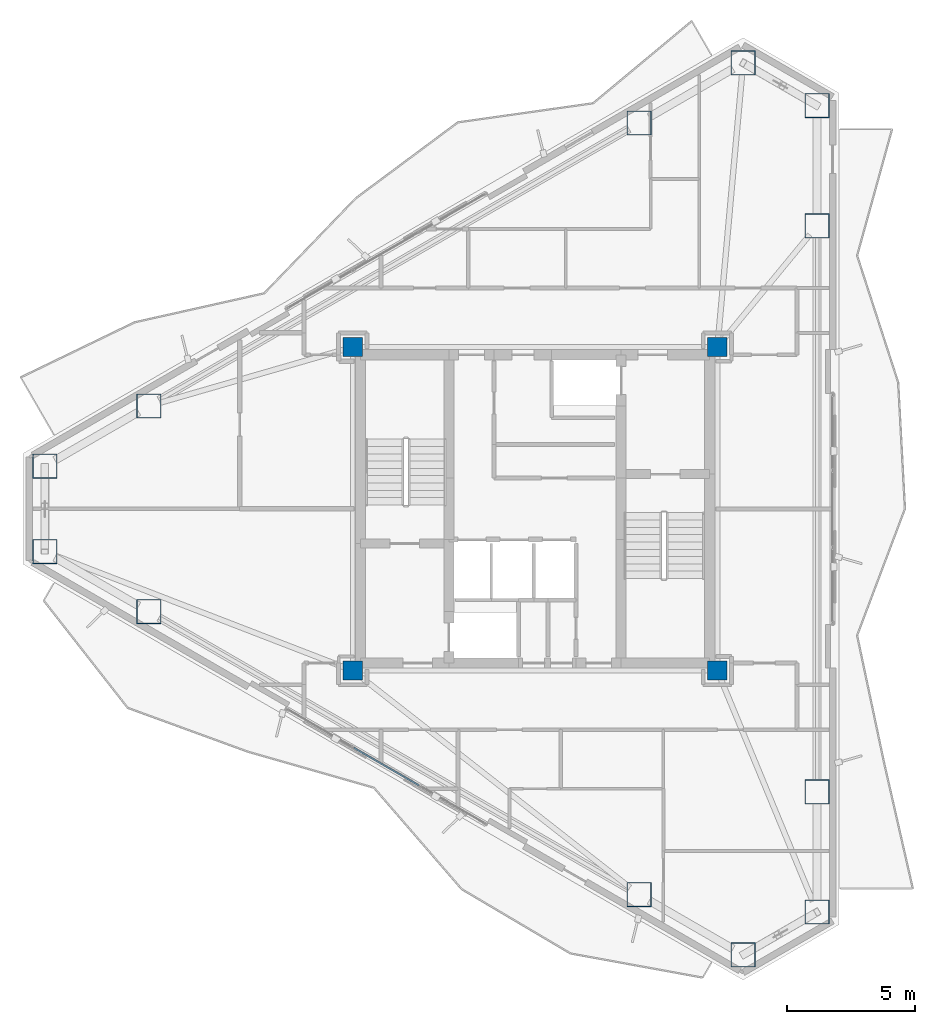
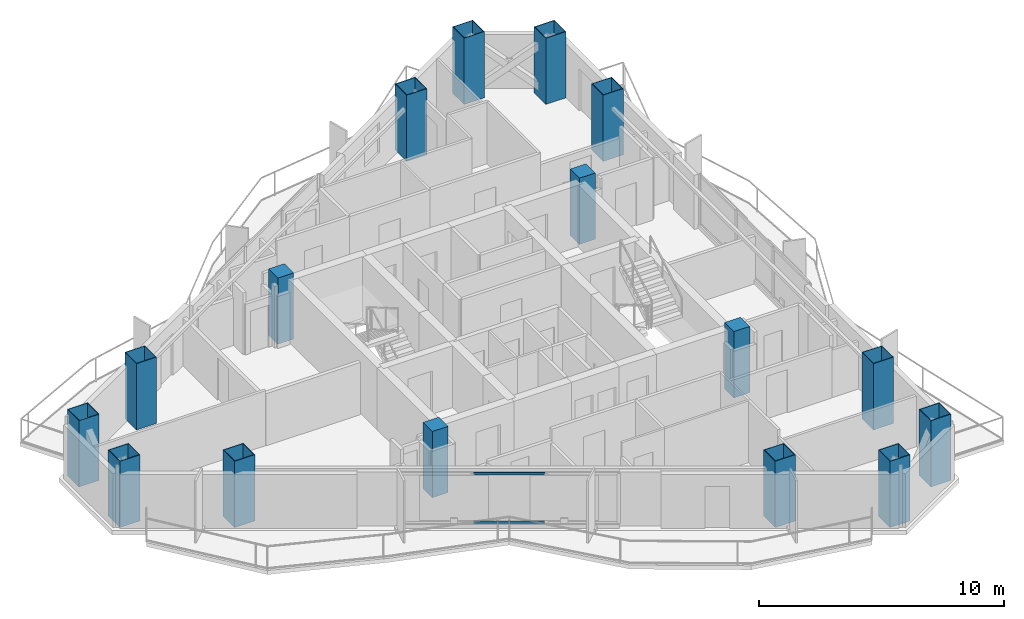
# One storey, part 1 of 21: 16 columns, 2 members, 1 element without a shape of its own.
"""IFC4 building model written with IfcOpenShell, lengths in metres."""

from ifc_helpers import new_model, si_unit, direction, frame, origin, origin_2d, place, context, subcontext, project, spatial, rectangle, hollow_rectangle, extrude, material, layer, layer_set, material_profile, profile_set, type_object, element, aggregate, save


model = new_model("IFC4")

# Units and contexts
model_context = context("Model", 3, precision=1e-05, world=origin(), true_north=direction((0.0, 1.0)))
body_context = subcontext(model_context, "Body", "Model", "MODEL_VIEW")
ifc_project = project(units=[si_unit("LENGTHUNIT", "METRE"), si_unit("AREAUNIT", "SQUARE_METRE"), si_unit("VOLUMEUNIT", "CUBIC_METRE"), si_unit("PLANEANGLEUNIT", "RADIAN"), si_unit("MASSUNIT", "GRAM", prefix="KILO")], contexts=[model_context])

# Site, building, storey
site_placement = place(None, origin())
site = spatial("IfcSite", under=ifc_project, at=site_placement, CompositionType="ELEMENT")
building_placement = place(site_placement, origin())
building = spatial("IfcBuilding", under=site, at=building_placement, Name="Mersakhor Tower and Convention Hall", CompositionType="ELEMENT")
storey_placement = place(building_placement, frame((0.0, 0.0, 178.800048828125)))
storey = spatial("IfcBuildingStorey", under=building, at=storey_placement, Name="L49", CompositionType="ELEMENT", Elevation=178.800048828125)

# Columns
ifc_material_1 = material(Name="Concrete C60/75 in S460M steel box", Category="concrete")
ifc_material_profile_1 = material_profile(ifc_material_1, hollow_rectangle(XDim=0.949951171875, YDim=0.949951171875, WallThickness=0.028076171875, at=origin_2d()), Name="SHS 950x950x28")
ifc_profile_set_1 = profile_set([ifc_material_profile_1], Name="Concrete C60/75 in S460M steel box")
column_type_1 = type_object("IfcColumnType", Name="COL-CFT-950", PredefinedType="COLUMN", material=ifc_profile_set_1)
for number, where, z_axis, x_axis, name in (
    (1, (9.907470703125, 28.415283203125, 0.0), (0.0, 0.0, 1.0), (1.0, 0.0, 0.0), "L49 Perimeter Mega-Column MC-01"),
    (2, (13.959716796875, 30.7548828125, 0.0), (0.0, 0.0, 1.0), (1.0, 0.0, 0.0), "L49 Perimeter Mega-Column MC-02"),
    (3, (33.0517578125, 41.777587890625, 0.0), (0.0, 0.0, 1.0), (1.0, 0.0, 0.0), "L49 Perimeter Mega-Column MC-03"),
    (4, (37.10400390625, 44.1171875, 0.0), (0.0, 0.0, 1.0), (1.0, 0.0, 0.0), "L49 Perimeter Mega-Column MC-04"),
    (5, (39.98828125, 42.451904296875, 0.0), (0.0, 0.0, 1.0), (1.0, 0.0, 0.0), "L49 Perimeter Mega-Column MC-05"),
    (6, (39.98828125, 37.772705078125, 0.0), (0.0, 0.0, 1.0), (1.0, 0.0, 0.0), "L49 Perimeter Mega-Column MC-06"),
    (7, (39.98828125, 15.727294921875, 0.0), (0.0, 0.0, 1.0), (1.0, 0.0, 0.0), "L49 Perimeter Mega-Column MC-07"),
    (8, (39.98828125, 11.048095703125, 0.0), (0.0, 0.0, 1.0), (1.0, 0.0, 0.0), "L49 Perimeter Mega-Column MC-08"),
    (9, (37.10400390625, 9.3828125, 0.0), (0.0, 0.0, 1.0), (1.0, 0.0, 0.0), "L49 Perimeter Mega-Column MC-09"),
    (10, (33.0517578125, 11.722412109375, 0.0), (0.0, 0.0, 1.0), (1.0, 0.0, 0.0), "L49 Perimeter Mega-Column MC-10"),
    (11, (13.959716796875, 22.7451171875, 0.0), (0.0, 0.0, 1.0), (1.0, 0.0, 0.0), "L49 Perimeter Mega-Column MC-11"),
    (12, (9.907470703125, 25.084716796875, 0.0), (0.0, 0.0, 1.0), (1.0, 0.0, 0.0), "L49 Perimeter Mega-Column MC-12"),
):
    element("IfcColumn", number, at=place(storey_placement, frame(where, z_axis=z_axis, x_axis=x_axis)), inside=storey, type_object=column_type_1, Name=name, PredefinedType="COLUMN", context=body_context, shape_type="SweptSolid", body=[
        extrude(hollow_rectangle(XDim=0.949951171875, YDim=0.949951171875, WallThickness=0.028076171875, at=origin_2d()), origin(), (0.0, 0.0, 1.0), 3.300048828125),
    ])
ifc_material_2 = material(Name="Concrete C50/60", Category="concrete")
ifc_material_profile_2 = material_profile(ifc_material_2, rectangle(XDim=0.75, YDim=0.75, at=origin_2d()), Name="RC 750x750")
ifc_profile_set_2 = profile_set([ifc_material_profile_2], Name="Concrete C50/60")
column_type_2 = type_object("IfcColumnType", Name="COL-RC-750", PredefinedType="COLUMN", material=ifc_profile_set_2)
for number, where, z_axis, x_axis, name in (
    (13, (21.89990234375, 20.449951171875, 0.0), (0.0, 0.0, 1.0), (1.0, 0.0, 0.0), "L49 Core Corner Column CC-1"),
    (14, (21.89990234375, 33.050048828125, 0.0), (0.0, 0.0, 1.0), (1.0, 0.0, 0.0), "L49 Core Corner Column CC-2"),
    (15, (36.10009765625, 33.050048828125, 0.0), (0.0, 0.0, 1.0), (1.0, 0.0, 0.0), "L49 Core Corner Column CC-3"),
    (16, (36.10009765625, 20.449951171875, 0.0), (0.0, 0.0, 1.0), (1.0, 0.0, 0.0), "L49 Core Corner Column CC-4"),
):
    element("IfcColumn", number, at=place(storey_placement, frame(where, z_axis=z_axis, x_axis=x_axis)), inside=storey, type_object=column_type_2, Name=name, PredefinedType="COLUMN", context=body_context, shape_type="SweptSolid", body=[
        extrude(rectangle(XDim=0.75, YDim=0.75, at=origin_2d()), origin(), (0.0, 0.0, 1.0), 3.300048828125),
    ])

# Curtain wall, members
ifc_material_3 = material(Name="Dark solar low-E aluminium curtain wall", Category="aluminium")
ifc_layer = layer(ifc_material_3, 0.169921875)
ifc_layer_set = layer_set([ifc_layer], Name="Dark solar low-E aluminium curtain wall")
curtain_wall_type = type_object("IfcCurtainWallType", Name="CW-SYS-02", PredefinedType="USERDEFINED", material=ifc_layer_set)
curtain_wall_placement = place(storey_placement, origin())
curtain_wall = element("IfcCurtainWall", 17, at=curtain_wall_placement, inside=storey, type_object=curtain_wall_type, Name="L49 Dark-Glass Curtain Wall F3-B2", ObjectType="CURTAIN WALL", PredefinedType="USERDEFINED")
ifc_material_4 = material(Name="Anodised aluminium EN AW-6063 T6", Category="aluminium")
ifc_material_profile_3 = material_profile(ifc_material_4, hollow_rectangle(XDim=0.06005859375, YDim=0.1201171875, WallThickness=0.0048828125, at=origin_2d()), Name="RHS 120x60x5")
ifc_profile_set_3 = profile_set([ifc_material_profile_3], Name="Anodised aluminium EN AW-6063 T6")
member_type = type_object("IfcMemberType", Name="CWT-120x60", PredefinedType="USERDEFINED", material=ifc_profile_set_3)
member_1_placement = place(storey_placement, frame((24.47216796875, 15.98291015625, 0.22998046875), z_axis=(-0.866004860328, 0.500035580622, 0.0), x_axis=(-0.500035580622, -0.866004860328, 0.0)))
member_1 = element("IfcMember", 18, at=member_1_placement, type_object=member_type, Name="CW-02 transom 2.1", ObjectType="TRANSOM", PredefinedType="USERDEFINED", context=body_context, shape_type="SweptSolid", body=[
    extrude(hollow_rectangle(XDim=0.06005859375, YDim=0.1201171875, WallThickness=0.0048828125, at=origin_2d()), origin(), (0.0, 0.0, 1.0), 2.924560546875),
])
member_2_placement = place(storey_placement, frame((24.47216796875, 15.98291015625, 2.659912109375), z_axis=(-0.866004860328, 0.500035580622, 0.0), x_axis=(-0.500035580622, -0.866004860328, 0.0)))
member_2 = element("IfcMember", 19, at=member_2_placement, type_object=member_type, Name="CW-02 transom 2.2", ObjectType="TRANSOM", PredefinedType="USERDEFINED", context=body_context, shape_type="SweptSolid", body=[
    extrude(hollow_rectangle(XDim=0.06005859375, YDim=0.1201171875, WallThickness=0.0048828125, at=origin_2d()), origin(), (0.0, 0.0, 1.0), 2.924560546875),
])
aggregate(curtain_wall, [member_1, member_2])

save(model, "model.ifc")
